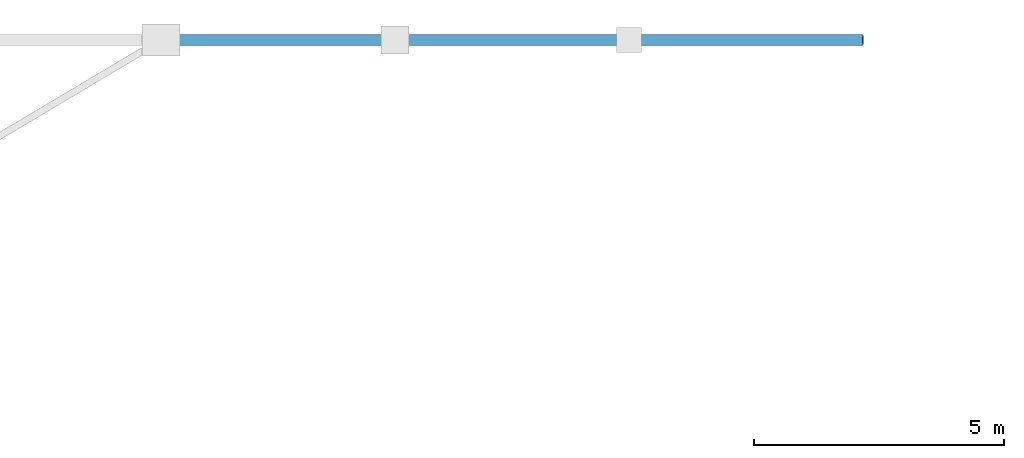
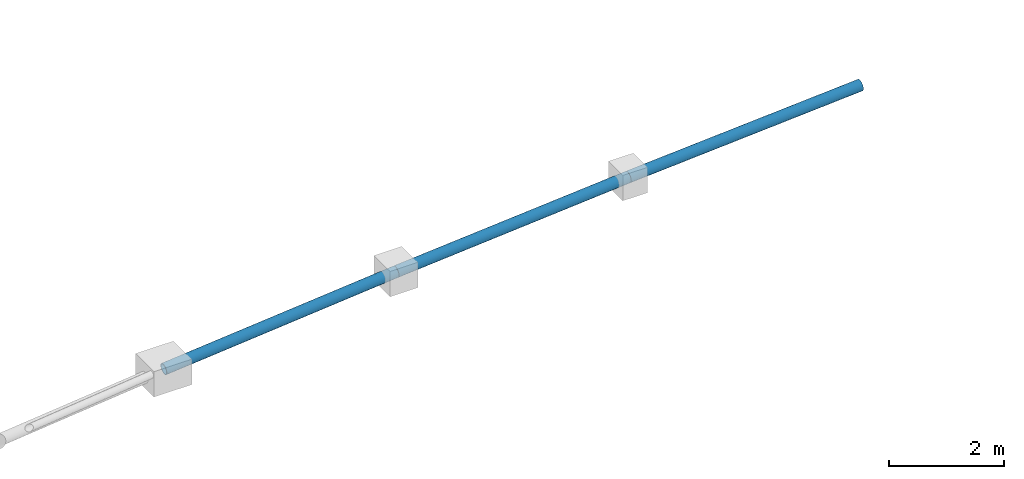
# One storey, part 36 of 60: 3 members.
"""IFC4 building model written with IfcOpenShell, lengths in metres."""

from ifc_helpers import new_model, si_unit, direction, frame, origin, origin_2d, place, context, subcontext, project, spatial, hollow_circle, extrude, material, material_profile, profile_set, type_object, element, save


model = new_model("IFC4")

# Units and contexts
model_context = context("Model", 3, precision=1e-05, world=origin(), true_north=direction((0.0, 1.0)))
body_context = subcontext(model_context, "Body", "Model", "MODEL_VIEW")
ifc_project = project(units=[si_unit("LENGTHUNIT", "METRE"), si_unit("AREAUNIT", "SQUARE_METRE"), si_unit("VOLUMEUNIT", "CUBIC_METRE"), si_unit("PLANEANGLEUNIT", "RADIAN"), si_unit("MASSUNIT", "GRAM", prefix="KILO")], contexts=[model_context])

# Site, building, storey
site_placement = place(None, origin())
site = spatial("IfcSite", under=ifc_project, at=site_placement, CompositionType="ELEMENT")
building_placement = place(site_placement, origin())
building = spatial("IfcBuilding", under=site, at=building_placement, Name="Quillay Park Conservatory", CompositionType="ELEMENT")
storey_placement = place(building_placement, frame((0.0, 0.0, 9.89990234375)))
storey = spatial("IfcBuildingStorey", under=building, at=storey_placement, Name="L02", CompositionType="ELEMENT", Elevation=9.89990234375)

# Members
ifc_material = material(Name="Steel S355J2H", Category="steel")
ifc_material_profile = material_profile(ifc_material, hollow_circle(Radius=0.109619140625, WallThickness=0.010009765625, at=origin_2d()), Name="CHS219.1x10")
ifc_profile_set = profile_set([ifc_material_profile], Name="Steel S355J2H")
member_type = type_object("IfcMemberType", Name="GRIDSHELL ARCH RIB CHS219", PredefinedType="USERDEFINED", material=ifc_profile_set)
member_1_placement = place(storey_placement, frame((35.327880859375, 113.39990234375, 3.200439453125), z_axis=(0.995654726514, 0.0, 0.093121778179), x_axis=(0.0, 1.0, 0.0)))
element("IfcMember", 1, at=member_1_placement, inside=storey, type_object=member_type, Name="Gridshell member GS-RIB-01-10", ObjectType="GRIDSHELL ARCH RIB", PredefinedType="USERDEFINED", context=body_context, shape_type="SweptSolid", body=[
    extrude(hollow_circle(Radius=0.109619140625, WallThickness=0.010009765625, at=origin_2d()), origin(), (0.0, 0.0, 1.0), 4.6982421875),
])
member_2_placement = place(storey_placement, frame((40.005615234375, 113.39990234375, 3.637939453125), z_axis=(0.996735387311, 0.0, 0.080737647239), x_axis=(0.0, 1.0, 0.0)))
element("IfcMember", 2, at=member_2_placement, inside=storey, type_object=member_type, Name="Gridshell member GS-RIB-02-10", ObjectType="GRIDSHELL ARCH RIB", PredefinedType="USERDEFINED", context=body_context, shape_type="SweptSolid", body=[
    extrude(hollow_circle(Radius=0.109619140625, WallThickness=0.010009765625, at=origin_2d()), origin(), (0.0, 0.0, 1.0), 4.693115234375),
])
member_3_placement = place(storey_placement, frame((44.683349609375, 113.39990234375, 4.016845703125), z_axis=(0.997663732084, 0.0, 0.068316013387), x_axis=(0.0, 1.0, 0.0)))
element("IfcMember", 3, at=member_3_placement, inside=storey, type_object=member_type, Name="Gridshell member GS-RIB-03-10", ObjectType="GRIDSHELL ARCH RIB", PredefinedType="USERDEFINED", context=body_context, shape_type="SweptSolid", body=[
    extrude(hollow_circle(Radius=0.109619140625, WallThickness=0.010009765625, at=origin_2d()), origin(), (0.0, 0.0, 1.0), 4.688720703125),
])

save(model, "model.ifc")
